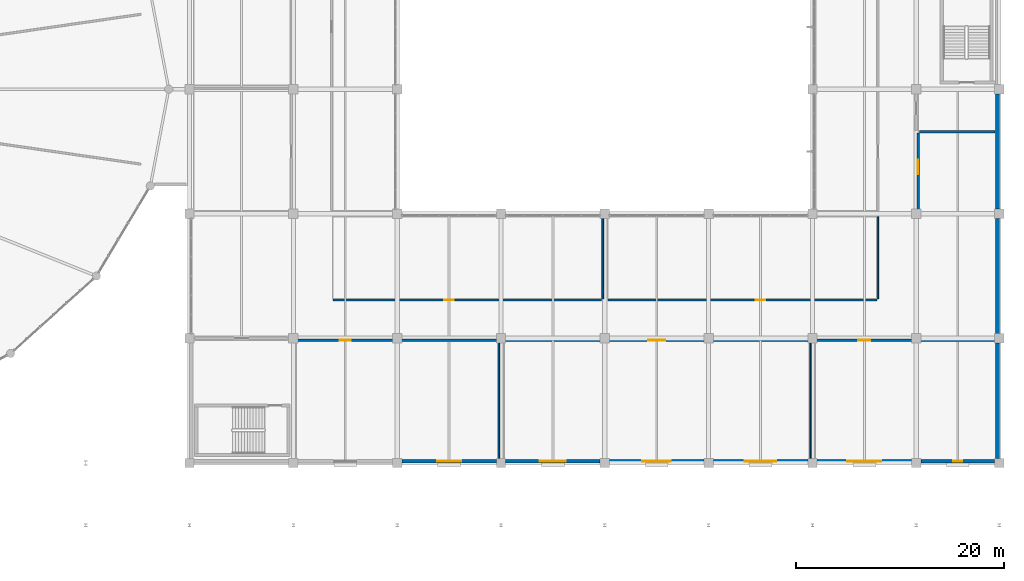
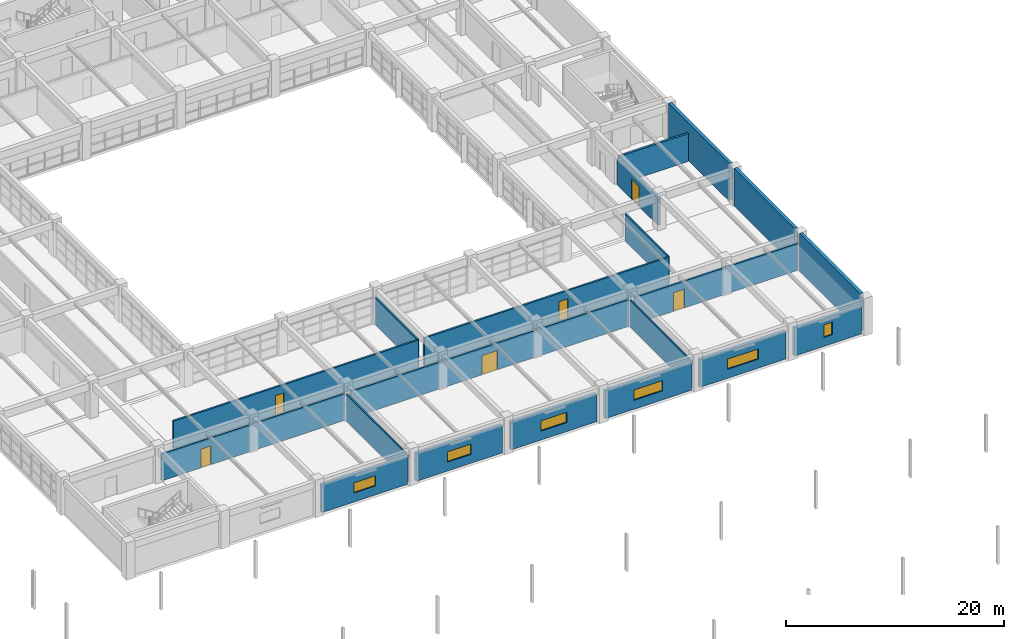
# One storey, part 81 of 100: 20 walls, 6 doors, 6 windows, 12 openings.
"""IFC4 building model written with IfcOpenShell, lengths in metres."""

from ifc_helpers import new_model, si_unit, direction, frame, frame_2d, origin, place, context, subcontext, project, spatial, rectangle, extrude, material, layer, layer_set, type_object, element, fill, save


model = new_model("IFC4")

# Units and contexts
model_context = context("Model", 3, precision=1e-05, world=origin(), true_north=direction((0.0, 1.0)))
body_context = subcontext(model_context, "Body", "Model", "MODEL_VIEW")
ifc_project = project(units=[si_unit("LENGTHUNIT", "METRE"), si_unit("AREAUNIT", "SQUARE_METRE"), si_unit("VOLUMEUNIT", "CUBIC_METRE"), si_unit("PLANEANGLEUNIT", "RADIAN"), si_unit("MASSUNIT", "GRAM", prefix="KILO")], contexts=[model_context])

# Site, building, storey
site_placement = place(None, origin())
site = spatial("IfcSite", under=ifc_project, at=site_placement, CompositionType="ELEMENT")
building_placement = place(site_placement, origin())
building = spatial("IfcBuilding", under=site, at=building_placement, Name="Kivolera Central Railway Station", CompositionType="ELEMENT")
storey_placement = place(building_placement, frame((0.0, 0.0, 5.39990234375)))
storey = spatial("IfcBuildingStorey", under=building, at=storey_placement, Name="L01", CompositionType="ELEMENT", Elevation=5.39990234375)

# Wall, opening, door
ifc_material_1 = material(Name="Concrete C40/50", Category="concrete")
ifc_layer_1 = layer(ifc_material_1, 0.22998046875, Name="Concrete C40/50")
ifc_layer_set_1 = layer_set([ifc_layer_1], Name="Concrete C40/50")
wall_type_1 = type_object("IfcWallType", Name="WL-COMP-230", PredefinedType="PARTITIONING", material=ifc_layer_set_1)
wall_1_placement = place(storey_placement, frame((188.179931640625, 78.300048828125, 0.0), z_axis=(0.0, 0.0, 1.0), x_axis=(0.0, 1.0, 0.0)))
wall_1 = element("IfcWall", 1, at=wall_1_placement, inside=storey, type_object=wall_type_1, Name="L01 Distribution Switchboard Plant Room Corridor Wall", PredefinedType="PARTITIONING", context=body_context, shape_type="SweptSolid", body=[
    extrude(rectangle(XDim=7.5, YDim=0.22998046875, at=frame_2d((3.75, 0.0))), origin(), (0.0, 0.0, 1.0), 3.01806640625),
])
opening_1_placement = place(wall_1_placement, frame((3.5, 0.0, 0.0)))
opening_1 = element("IfcOpeningElement", 2, at=opening_1_placement, cuts=wall_1, Name="Opening D-PLT-1400", PredefinedType="OPENING", context=body_context, shape_type="SweptSolid", body=[
    extrude(rectangle(XDim=1.39990234375, YDim=2.199951171875, at=frame_2d((0.699951171875, 1.10009765625))), frame((0.0, 0.125, 0.0), z_axis=(0.0, -1.0, 0.0), x_axis=(1.0, 0.0, 0.0)), (0.0, 0.0, 1.0), 0.25),
])
ifc_material_2 = material(Name="Anodised aluminium", Category="aluminium")
door_type_1 = type_object("IfcDoorType", Name="DR-D-PLT-1400", OperationType="NOTDEFINED", PredefinedType="DOOR", material=ifc_material_2)
door_1_placement = place(opening_1_placement, origin())
door_1 = element("IfcDoor", 3, at=door_1_placement, inside=storey, type_object=door_type_1, Name="L01 Distribution Switchboard Plant Room Door", OperationType="SINGLE_SWING_LEFT", OverallHeight=2.199951171875, OverallWidth=1.39990234375, PredefinedType="DOOR", context=body_context, shape_type="SweptSolid", body=[
    extrude(rectangle(XDim=1.39990234375, YDim=2.199951171875, at=frame_2d((0.699951171875, 1.10009765625))), frame((0.0, 0.02490234375, 0.0), z_axis=(0.0, -1.0, 0.0), x_axis=(1.0, 0.0, 0.0)), (0.0, 0.0, 1.0), 0.050048828125),
])
fill(opening_1, door_1)

# Wall
wall_2_placement = place(storey_placement, frame((188.300048828125, 85.89990234375, 0.0), z_axis=(0.0, 0.0, 1.0), x_axis=(1.0, 0.0, 0.0)))
element("IfcWall", 4, at=wall_2_placement, inside=storey, type_object=wall_type_1, Name="L01 Distribution Switchboard Plant Room Partition Wall", PredefinedType="PARTITIONING", context=body_context, shape_type="SweptSolid", body=[
    extrude(rectangle(XDim=7.300048828125, YDim=0.22998046875, at=frame_2d((3.64990234375, 0.0))), origin(), (0.0, 0.0, 1.0), 3.1181640625),
])

# Wall, opening, door
ifc_material_3 = material(Name="Swahili coral limestone", Category="masonry")
ifc_layer_2 = layer(ifc_material_3, 0.199951171875, Name="Swahili coral limestone")
ifc_layer_set_2 = layer_set([ifc_layer_2], Name="Swahili coral limestone")
wall_type_2 = type_object("IfcWallType", Name="WL-COR-200", PredefinedType="PARTITIONING", material=ifc_layer_set_2)
wall_3_placement = place(storey_placement, frame((128.300048828125, 65.820068359375, 0.0), z_axis=(0.0, 0.0, 1.0), x_axis=(1.0, 0.0, 0.0)))
wall_3 = element("IfcWall", 5, at=wall_3_placement, inside=storey, type_object=wall_type_2, Name="L01 Passenger Reservations Call Centre Office Corridor Wall", PredefinedType="PARTITIONING", context=body_context, shape_type="SweptSolid", body=[
    extrude(rectangle(XDim=19.39990234375, YDim=0.199951171875, at=frame_2d((9.699951171875, 0.0))), origin(), (0.0, 0.0, 1.0), 3.01806640625),
])
opening_2_placement = place(wall_3_placement, frame((4.175048828125, 0.0, 0.0)))
opening_2 = element("IfcOpeningElement", 6, at=opening_2_placement, cuts=wall_3, Name="Opening D-SG-04", PredefinedType="OPENING", context=body_context, shape_type="SweptSolid", body=[
    extrude(rectangle(XDim=1.050048828125, YDim=2.10009765625, at=frame_2d((0.52490234375, 1.050048828125))), frame((0.0, 0.10986328125, 0.0), z_axis=(0.0, -1.0, 0.0), x_axis=(1.0, 0.0, 0.0)), (0.0, 0.0, 1.0), 0.219970703125),
])
ifc_material_4 = material(Name="Hardwood mvule timber", Category="wood")
door_type_2 = type_object("IfcDoorType", Name="DR-D-SG-04", OperationType="NOTDEFINED", PredefinedType="DOOR", material=ifc_material_4)
door_2_placement = place(opening_2_placement, origin())
door_2 = element("IfcDoor", 7, at=door_2_placement, inside=storey, type_object=door_type_2, Name="L01 Passenger Reservations Call Centre Office Door", OperationType="SINGLE_SWING_RIGHT", OverallHeight=2.10009765625, OverallWidth=1.050048828125, PredefinedType="DOOR", context=body_context, shape_type="SweptSolid", body=[
    extrude(rectangle(XDim=1.050048828125, YDim=2.10009765625, at=frame_2d((0.52490234375, 1.050048828125))), frame((0.0, 0.02490234375, 0.0), z_axis=(0.0, -1.0, 0.0), x_axis=(1.0, 0.0, 0.0)), (0.0, 0.0, 1.0), 0.050048828125),
])
fill(opening_2, door_2)

wall_4_placement = place(storey_placement, frame((148.300048828125, 65.820068359375, 0.0), z_axis=(0.0, 0.0, 1.0), x_axis=(1.0, 0.0, 0.0)))
wall_4 = element("IfcWall", 8, at=wall_4_placement, inside=storey, type_object=wall_type_2, Name="L01 Executive Rail Business Lounge Corridor Wall", PredefinedType="PARTITIONING", context=body_context, shape_type="SweptSolid", body=[
    extrude(rectangle(XDim=29.39990234375, YDim=0.199951171875, at=frame_2d((14.699951171875, 0.0))), origin(), (0.0, 0.0, 1.0), 3.01806640625),
])
opening_3_placement = place(wall_4_placement, frame((13.89990234375, 0.0, 0.0)))
opening_3 = element("IfcOpeningElement", 9, at=opening_3_placement, cuts=wall_4, Name="Opening D-DB-02", PredefinedType="OPENING", context=body_context, shape_type="SweptSolid", body=[
    extrude(rectangle(XDim=1.60009765625, YDim=2.14990234375, at=frame_2d((0.800048828125, 1.074951171875))), frame((0.0, 0.10986328125, 0.0), z_axis=(0.0, -1.0, 0.0), x_axis=(1.0, 0.0, 0.0)), (0.0, 0.0, 1.0), 0.219970703125),
])
door_type_3 = type_object("IfcDoorType", Name="DR-D-DB-02", OperationType="NOTDEFINED", PredefinedType="DOOR", material=ifc_material_2)
door_3_placement = place(opening_3_placement, origin())
door_3 = element("IfcDoor", 10, at=door_3_placement, inside=storey, type_object=door_type_3, Name="L01 Executive Rail Business Lounge Door", OperationType="DOUBLE_DOOR_SINGLE_SWING", OverallHeight=2.14990234375, OverallWidth=1.60009765625, PredefinedType="DOOR", context=body_context, shape_type="SweptSolid", body=[
    extrude(rectangle(XDim=1.60009765625, YDim=2.14990234375, at=frame_2d((0.800048828125, 1.074951171875))), frame((0.0, 0.02490234375, 0.0), z_axis=(0.0, -1.0, 0.0), x_axis=(1.0, 0.0, 0.0)), (0.0, 0.0, 1.0), 0.050048828125),
])
fill(opening_3, door_3)

wall_5_placement = place(storey_placement, frame((178.300048828125, 65.820068359375, 0.0), z_axis=(0.0, 0.0, 1.0), x_axis=(1.0, 0.0, 0.0)))
wall_5 = element("IfcWall", 11, at=wall_5_placement, inside=storey, type_object=wall_type_2, Name="L01 Ticket Accounting Office Corridor Wall", PredefinedType="PARTITIONING", context=body_context, shape_type="SweptSolid", body=[
    extrude(rectangle(XDim=17.300048828125, YDim=0.199951171875, at=frame_2d((8.64990234375, 0.0))), origin(), (0.0, 0.0, 1.0), 3.01806640625),
])
opening_4_placement = place(wall_5_placement, frame((4.125, 0.0, 0.0)))
opening_4 = element("IfcOpeningElement", 12, at=opening_4_placement, cuts=wall_5, Name="Opening D-SG-06", PredefinedType="OPENING", context=body_context, shape_type="SweptSolid", body=[
    extrude(rectangle(XDim=1.14990234375, YDim=2.10009765625, at=frame_2d((0.574951171875, 1.050048828125))), frame((0.0, 0.10986328125, 0.0), z_axis=(0.0, -1.0, 0.0), x_axis=(1.0, 0.0, 0.0)), (0.0, 0.0, 1.0), 0.219970703125),
])
door_type_4 = type_object("IfcDoorType", Name="DR-D-SG-06", OperationType="NOTDEFINED", PredefinedType="DOOR", material=ifc_material_4)
door_4_placement = place(opening_4_placement, origin())
door_4 = element("IfcDoor", 13, at=door_4_placement, inside=storey, type_object=door_type_4, Name="L01 Ticket Accounting Office Door", OperationType="SINGLE_SWING_LEFT", OverallHeight=2.10009765625, OverallWidth=1.14990234375, PredefinedType="DOOR", context=body_context, shape_type="SweptSolid", body=[
    extrude(rectangle(XDim=1.14990234375, YDim=2.10009765625, at=frame_2d((0.574951171875, 1.050048828125))), frame((0.0, 0.02490234375, 0.0), z_axis=(0.0, -1.0, 0.0), x_axis=(1.0, 0.0, 0.0)), (0.0, 0.0, 1.0), 0.050048828125),
])
fill(opening_4, door_4)

wall_6_placement = place(storey_placement, frame((131.800048828125, 69.679931640625, 0.0), z_axis=(0.0, 0.0, 1.0), x_axis=(1.0, 0.0, 0.0)))
wall_6 = element("IfcWall", 14, at=wall_6_placement, inside=storey, type_object=wall_type_2, Name="L01 Stakeholder Consultation Meeting Room Corridor Wall", PredefinedType="PARTITIONING", context=body_context, shape_type="SweptSolid", body=[
    extrude(rectangle(XDim=25.89990234375, YDim=0.199951171875, at=frame_2d((12.949951171875, 0.0))), origin(), (0.0, 0.0, 1.0), 3.1181640625),
])
opening_5_placement = place(wall_6_placement, frame((10.75, 0.0, 0.0)))
opening_5 = element("IfcOpeningElement", 15, at=opening_5_placement, cuts=wall_6, Name="Opening D-SG-07", PredefinedType="OPENING", context=body_context, shape_type="SweptSolid", body=[
    extrude(rectangle(XDim=0.89990234375, YDim=2.199951171875, at=frame_2d((0.449951171875, 1.10009765625))), frame((0.0, 0.10986328125, 0.0), z_axis=(0.0, -1.0, 0.0), x_axis=(1.0, 0.0, 0.0)), (0.0, 0.0, 1.0), 0.219970703125),
])
door_type_5 = type_object("IfcDoorType", Name="DR-D-SG-07", OperationType="NOTDEFINED", PredefinedType="DOOR", material=ifc_material_4)
door_5_placement = place(opening_5_placement, origin())
door_5 = element("IfcDoor", 16, at=door_5_placement, inside=storey, type_object=door_type_5, Name="L01 Stakeholder Consultation Meeting Room Door", OperationType="SINGLE_SWING_RIGHT", OverallHeight=2.199951171875, OverallWidth=0.89990234375, PredefinedType="DOOR", context=body_context, shape_type="SweptSolid", body=[
    extrude(rectangle(XDim=0.89990234375, YDim=2.199951171875, at=frame_2d((0.449951171875, 1.10009765625))), frame((0.0, 0.02490234375, 0.0), z_axis=(0.0, -1.0, 0.0), x_axis=(1.0, 0.0, 0.0)), (0.0, 0.0, 1.0), 0.050048828125),
])
fill(opening_5, door_5)

wall_7_placement = place(storey_placement, frame((158.300048828125, 69.679931640625, 0.0), z_axis=(0.0, 0.0, 1.0), x_axis=(1.0, 0.0, 0.0)))
wall_7 = element("IfcWall", 17, at=wall_7_placement, inside=storey, type_object=wall_type_2, Name="L01 Concessionaire Management Office Corridor Wall", PredefinedType="PARTITIONING", context=body_context, shape_type="SweptSolid", body=[
    extrude(rectangle(XDim=25.89990234375, YDim=0.199951171875, at=frame_2d((12.949951171875, 0.0))), origin(), (0.0, 0.0, 1.0), 3.1181640625),
])
opening_6_placement = place(wall_7_placement, frame((14.22509765625, 0.0, 0.0)))
opening_6 = element("IfcOpeningElement", 18, at=opening_6_placement, cuts=wall_7, Name="Opening D-SG-08", PredefinedType="OPENING", context=body_context, shape_type="SweptSolid", body=[
    extrude(rectangle(XDim=0.949951171875, YDim=2.199951171875, at=frame_2d((0.47509765625, 1.10009765625))), frame((0.0, 0.10986328125, 0.0), z_axis=(0.0, -1.0, 0.0), x_axis=(1.0, 0.0, 0.0)), (0.0, 0.0, 1.0), 0.219970703125),
])
door_type_6 = type_object("IfcDoorType", Name="DR-D-SG-08", OperationType="NOTDEFINED", PredefinedType="DOOR", material=ifc_material_4)
door_6_placement = place(opening_6_placement, origin())
door_6 = element("IfcDoor", 19, at=door_6_placement, inside=storey, type_object=door_type_6, Name="L01 Concessionaire Management Office Door", OperationType="SINGLE_SWING_LEFT", OverallHeight=2.199951171875, OverallWidth=0.949951171875, PredefinedType="DOOR", context=body_context, shape_type="SweptSolid", body=[
    extrude(rectangle(XDim=0.949951171875, YDim=2.199951171875, at=frame_2d((0.47509765625, 1.10009765625))), frame((0.0, 0.02490234375, 0.0), z_axis=(0.0, -1.0, 0.0), x_axis=(1.0, 0.0, 0.0)), (0.0, 0.0, 1.0), 0.050048828125),
])
fill(opening_6, door_6)

# Wall, opening, window
ifc_layer_3 = layer(ifc_material_3, 0.320068359375, Name="Swahili coral limestone")
ifc_layer_set_3 = layer_set([ifc_layer_3], Name="Swahili coral limestone")
wall_type_3 = type_object("IfcWallType", Name="WL-EXT-CORAL-320", PredefinedType="SOLIDWALL", material=ifc_layer_set_3)
wall_8_placement = place(storey_placement, frame((147.554931640625, 54.159912109375, 0.0), z_axis=(0.0, 0.0, 1.0), x_axis=(-1.0, 0.0, 0.0)))
wall_8 = element("IfcWall", 20, at=wall_8_placement, inside=storey, type_object=wall_type_3, Name="L01 South Facade Wall 138-148", PredefinedType="SOLIDWALL", context=body_context, shape_type="SweptSolid", body=[
    extrude(rectangle(XDim=9.10986328125, YDim=0.320068359375, at=frame_2d((4.554931640625, 0.0))), origin(), (0.0, 0.0, 1.0), 3.1181640625),
])
opening_7_placement = place(wall_8_placement, frame((3.405029296875, 0.0, 1.0)))
opening_7 = element("IfcOpeningElement", 21, at=opening_7_placement, cuts=wall_8, Name="Opening WN-08", PredefinedType="OPENING", context=body_context, shape_type="SweptSolid", body=[
    extrude(rectangle(XDim=2.300048828125, YDim=1.14990234375, at=frame_2d((1.14990234375, 0.574951171875))), frame((0.0, 0.169921875, 0.0), z_axis=(0.0, -1.0, 0.0), x_axis=(1.0, 0.0, 0.0)), (0.0, 0.0, 1.0), 0.340087890625),
])
ifc_material_5 = material(Name="Double low-E laminated glass", Category="glass")
window_type_1 = type_object("IfcWindowType", Name="WIN-WN-08", PartitioningType="SINGLE_PANEL", PredefinedType="WINDOW", material=ifc_material_5)
window_1_placement = place(opening_7_placement, origin())
window_1 = element("IfcWindow", 22, at=window_1_placement, inside=storey, type_object=window_type_1, Name="L01 South Facade Window 138", OverallHeight=1.14990234375, OverallWidth=2.300048828125, PartitioningType="SINGLE_PANEL", PredefinedType="WINDOW", context=body_context, shape_type="SweptSolid", body=[
    extrude(rectangle(XDim=2.300048828125, YDim=1.14990234375, at=frame_2d((1.14990234375, 0.574951171875))), frame((0.0, 0.030029296875, 0.0), z_axis=(0.0, -1.0, 0.0), x_axis=(1.0, 0.0, 0.0)), (0.0, 0.0, 1.0), 0.06005859375),
])
fill(opening_7, window_1)

wall_9_placement = place(storey_placement, frame((157.554931640625, 54.159912109375, 0.0), z_axis=(0.0, 0.0, 1.0), x_axis=(-1.0, 0.0, 0.0)))
wall_9 = element("IfcWall", 23, at=wall_9_placement, inside=storey, type_object=wall_type_3, Name="L01 South Facade Wall 148-158", PredefinedType="SOLIDWALL", context=body_context, shape_type="SweptSolid", body=[
    extrude(rectangle(XDim=9.10986328125, YDim=0.320068359375, at=frame_2d((4.554931640625, 0.0))), origin(), (0.0, 0.0, 1.0), 3.1181640625),
])
opening_8_placement = place(wall_9_placement, frame((3.304931640625, 0.0, 1.0)))
opening_8 = element("IfcOpeningElement", 24, at=opening_8_placement, cuts=wall_9, Name="Opening WN-09", PredefinedType="OPENING", context=body_context, shape_type="SweptSolid", body=[
    extrude(rectangle(XDim=2.5, YDim=1.14990234375, at=frame_2d((1.25, 0.574951171875))), frame((0.0, 0.169921875, 0.0), z_axis=(0.0, -1.0, 0.0), x_axis=(1.0, 0.0, 0.0)), (0.0, 0.0, 1.0), 0.340087890625),
])
window_type_2 = type_object("IfcWindowType", Name="WIN-WN-09", PartitioningType="SINGLE_PANEL", PredefinedType="WINDOW", material=ifc_material_5)
window_2_placement = place(opening_8_placement, origin())
window_2 = element("IfcWindow", 25, at=window_2_placement, inside=storey, type_object=window_type_2, Name="L01 South Facade Window 148", OverallHeight=1.14990234375, OverallWidth=2.5, PartitioningType="SINGLE_PANEL", PredefinedType="WINDOW", context=body_context, shape_type="SweptSolid", body=[
    extrude(rectangle(XDim=2.5, YDim=1.14990234375, at=frame_2d((1.25, 0.574951171875))), frame((0.0, 0.030029296875, 0.0), z_axis=(0.0, -1.0, 0.0), x_axis=(1.0, 0.0, 0.0)), (0.0, 0.0, 1.0), 0.06005859375),
])
fill(opening_8, window_2)

wall_10_placement = place(storey_placement, frame((167.554931640625, 54.159912109375, 0.0), z_axis=(0.0, 0.0, 1.0), x_axis=(-1.0, 0.0, 0.0)))
wall_10 = element("IfcWall", 26, at=wall_10_placement, inside=storey, type_object=wall_type_3, Name="L01 South Facade Wall 158-168", PredefinedType="SOLIDWALL", context=body_context, shape_type="SweptSolid", body=[
    extrude(rectangle(XDim=9.10986328125, YDim=0.320068359375, at=frame_2d((4.554931640625, 0.0))), origin(), (0.0, 0.0, 1.0), 3.1181640625),
])
opening_9_placement = place(wall_10_placement, frame((3.179931640625, 0.0, 1.0)))
opening_9 = element("IfcOpeningElement", 27, at=opening_9_placement, cuts=wall_10, Name="Opening WN-10", PredefinedType="OPENING", context=body_context, shape_type="SweptSolid", body=[
    extrude(rectangle(XDim=2.75, YDim=1.14990234375, at=frame_2d((1.375, 0.574951171875))), frame((0.0, 0.169921875, 0.0), z_axis=(0.0, -1.0, 0.0), x_axis=(1.0, 0.0, 0.0)), (0.0, 0.0, 1.0), 0.340087890625),
])
window_type_3 = type_object("IfcWindowType", Name="WIN-WN-10", PartitioningType="SINGLE_PANEL", PredefinedType="WINDOW", material=ifc_material_5)
window_3_placement = place(opening_9_placement, origin())
window_3 = element("IfcWindow", 28, at=window_3_placement, inside=storey, type_object=window_type_3, Name="L01 South Facade Window 158", OverallHeight=1.14990234375, OverallWidth=2.75, PartitioningType="SINGLE_PANEL", PredefinedType="WINDOW", context=body_context, shape_type="SweptSolid", body=[
    extrude(rectangle(XDim=2.75, YDim=1.14990234375, at=frame_2d((1.375, 0.574951171875))), frame((0.0, 0.030029296875, 0.0), z_axis=(0.0, -1.0, 0.0), x_axis=(1.0, 0.0, 0.0)), (0.0, 0.0, 1.0), 0.06005859375),
])
fill(opening_9, window_3)

wall_11_placement = place(storey_placement, frame((177.554931640625, 54.159912109375, 0.0), z_axis=(0.0, 0.0, 1.0), x_axis=(-1.0, 0.0, 0.0)))
wall_11 = element("IfcWall", 29, at=wall_11_placement, inside=storey, type_object=wall_type_3, Name="L01 South Facade Wall 168-178", PredefinedType="SOLIDWALL", context=body_context, shape_type="SweptSolid", body=[
    extrude(rectangle(XDim=9.10986328125, YDim=0.320068359375, at=frame_2d((4.554931640625, 0.0))), origin(), (0.0, 0.0, 1.0), 3.1181640625),
])
opening_10_placement = place(wall_11_placement, frame((3.054931640625, 0.0, 1.0)))
opening_10 = element("IfcOpeningElement", 30, at=opening_10_placement, cuts=wall_11, Name="Opening WN-11", PredefinedType="OPENING", context=body_context, shape_type="SweptSolid", body=[
    extrude(rectangle(XDim=3.0, YDim=1.14990234375, at=frame_2d((1.5, 0.574951171875))), frame((0.0, 0.169921875, 0.0), z_axis=(0.0, -1.0, 0.0), x_axis=(1.0, 0.0, 0.0)), (0.0, 0.0, 1.0), 0.340087890625),
])
window_type_4 = type_object("IfcWindowType", Name="WIN-WN-11", PartitioningType="SINGLE_PANEL", PredefinedType="WINDOW", material=ifc_material_5)
window_4_placement = place(opening_10_placement, origin())
window_4 = element("IfcWindow", 31, at=window_4_placement, inside=storey, type_object=window_type_4, Name="L01 South Facade Window 168", OverallHeight=1.14990234375, OverallWidth=3.0, PartitioningType="SINGLE_PANEL", PredefinedType="WINDOW", context=body_context, shape_type="SweptSolid", body=[
    extrude(rectangle(XDim=3.0, YDim=1.14990234375, at=frame_2d((1.5, 0.574951171875))), frame((0.0, 0.030029296875, 0.0), z_axis=(0.0, -1.0, 0.0), x_axis=(1.0, 0.0, 0.0)), (0.0, 0.0, 1.0), 0.06005859375),
])
fill(opening_10, window_4)

wall_12_placement = place(storey_placement, frame((187.554931640625, 54.159912109375, 0.0), z_axis=(0.0, 0.0, 1.0), x_axis=(-1.0, 0.0, 0.0)))
wall_12 = element("IfcWall", 32, at=wall_12_placement, inside=storey, type_object=wall_type_3, Name="L01 South Facade Wall 178-188", PredefinedType="SOLIDWALL", context=body_context, shape_type="SweptSolid", body=[
    extrude(rectangle(XDim=9.10986328125, YDim=0.320068359375, at=frame_2d((4.554931640625, 0.0))), origin(), (0.0, 0.0, 1.0), 3.1181640625),
])
opening_11_placement = place(wall_12_placement, frame((2.929931640625, 0.0, 1.0)))
opening_11 = element("IfcOpeningElement", 33, at=opening_11_placement, cuts=wall_12, Name="Opening WN-12", PredefinedType="OPENING", context=body_context, shape_type="SweptSolid", body=[
    extrude(rectangle(XDim=3.25, YDim=1.14990234375, at=frame_2d((1.625, 0.574951171875))), frame((0.0, 0.169921875, 0.0), z_axis=(0.0, -1.0, 0.0), x_axis=(1.0, 0.0, 0.0)), (0.0, 0.0, 1.0), 0.340087890625),
])
window_type_5 = type_object("IfcWindowType", Name="WIN-WN-12", PartitioningType="SINGLE_PANEL", PredefinedType="WINDOW", material=ifc_material_5)
window_5_placement = place(opening_11_placement, origin())
window_5 = element("IfcWindow", 34, at=window_5_placement, inside=storey, type_object=window_type_5, Name="L01 South Facade Window 178", OverallHeight=1.14990234375, OverallWidth=3.25, PartitioningType="SINGLE_PANEL", PredefinedType="WINDOW", context=body_context, shape_type="SweptSolid", body=[
    extrude(rectangle(XDim=3.25, YDim=1.14990234375, at=frame_2d((1.625, 0.574951171875))), frame((0.0, 0.030029296875, 0.0), z_axis=(0.0, -1.0, 0.0), x_axis=(1.0, 0.0, 0.0)), (0.0, 0.0, 1.0), 0.06005859375),
])
fill(opening_11, window_5)

wall_13_placement = place(storey_placement, frame((195.554931640625, 54.159912109375, 0.0), z_axis=(0.0, 0.0, 1.0), x_axis=(-1.0, 0.0, 0.0)))
wall_13 = element("IfcWall", 35, at=wall_13_placement, inside=storey, type_object=wall_type_3, Name="L01 South Facade Wall 188-196", PredefinedType="SOLIDWALL", context=body_context, shape_type="SweptSolid", body=[
    extrude(rectangle(XDim=7.10986328125, YDim=0.320068359375, at=frame_2d((3.554931640625, 0.0))), origin(), (0.0, 0.0, 1.0), 3.1181640625),
])
opening_12_placement = place(wall_13_placement, frame((3.10498046875, 0.0, 1.0)))
opening_12 = element("IfcOpeningElement", 36, at=opening_12_placement, cuts=wall_13, Name="Opening WN-13", PredefinedType="OPENING", context=body_context, shape_type="SweptSolid", body=[
    extrude(rectangle(XDim=0.89990234375, YDim=1.39990234375, at=frame_2d((0.449951171875, 0.699951171875))), frame((0.0, 0.169921875, 0.0), z_axis=(0.0, -1.0, 0.0), x_axis=(1.0, 0.0, 0.0)), (0.0, 0.0, 1.0), 0.340087890625),
])
window_type_6 = type_object("IfcWindowType", Name="WIN-WN-13", PartitioningType="SINGLE_PANEL", PredefinedType="WINDOW", material=ifc_material_5)
window_6_placement = place(opening_12_placement, origin())
window_6 = element("IfcWindow", 37, at=window_6_placement, inside=storey, type_object=window_type_6, Name="L01 South Facade Window 188", OverallHeight=1.39990234375, OverallWidth=0.89990234375, PartitioningType="SINGLE_PANEL", PredefinedType="WINDOW", context=body_context, shape_type="SweptSolid", body=[
    extrude(rectangle(XDim=0.89990234375, YDim=1.39990234375, at=frame_2d((0.449951171875, 0.699951171875))), frame((0.0, 0.030029296875, 0.0), z_axis=(0.0, -1.0, 0.0), x_axis=(1.0, 0.0, 0.0)), (0.0, 0.0, 1.0), 0.06005859375),
])
fill(opening_12, window_6)

# Walls
ifc_layer_4 = layer(ifc_material_1, 0.35009765625, Name="Concrete C40/50")
ifc_layer_set_4 = layer_set([ifc_layer_4], Name="Concrete C40/50")
wall_type_4 = type_object("IfcWallType", Name="WL-PARTY-350", PredefinedType="SOLIDWALL", material=ifc_layer_set_4)
for number, where, z_axis, x_axis, name in (
    (38, (195.824951171875, 65.554931640625, 0.0), (0.0, 0.0, 1.0), (0.0, -1.0, 0.0), "L01 East Infill EI 120 Party Wall 54-66"),
    (39, (195.824951171875, 77.554931640625, 0.0), (0.0, 0.0, 1.0), (0.0, -1.0, 0.0), "L01 East Infill EI 120 Party Wall 66-78"),
    (40, (195.824951171875, 89.554931640625, 0.0), (0.0, 0.0, 1.0), (0.0, -1.0, 0.0), "L01 East Infill EI 120 Party Wall 78-90"),
):
    element("IfcWall", number, at=place(storey_placement, frame(where, z_axis=z_axis, x_axis=x_axis)), inside=storey, type_object=wall_type_4, Name=name, PredefinedType="SOLIDWALL", context=body_context, shape_type="SweptSolid", body=[
        extrude(rectangle(XDim=11.10986328125, YDim=0.35009765625, at=frame_2d((5.554931640625, 0.0))), origin(), (0.0, 0.0, 1.0), 4.2001953125),
    ])
ifc_material_6 = material(Name="Gypsum plasterboard steel-stud partition")
ifc_layer_5 = layer(ifc_material_6, 0.1201171875, Name="Gypsum plasterboard steel-stud partition")
ifc_layer_set_5 = layer_set([ifc_layer_5], Name="Gypsum plasterboard steel-stud partition")
wall_type_5 = type_object("IfcWallType", Name="WL-PRT-120", PredefinedType="PARTITIONING", material=ifc_layer_set_5)
wall_14_placement = place(storey_placement, frame((177.800048828125, 54.300048828125, 0.0), z_axis=(0.0, 0.0, 1.0), x_axis=(0.0, 1.0, 0.0)))
element("IfcWall", 41, at=wall_14_placement, inside=storey, type_object=wall_type_5, Name="L01 Executive Rail Business Lounge Partition Wall", PredefinedType="PARTITIONING", context=body_context, shape_type="SweptSolid", body=[
    extrude(rectangle(XDim=11.39990234375, YDim=0.1201171875, at=frame_2d((5.699951171875, 0.0))), origin(), (0.0, 0.0, 1.0), 3.01806640625),
])
ifc_layer_6 = layer(ifc_material_6, 0.135009765625, Name="Gypsum plasterboard steel-stud partition")
ifc_layer_set_6 = layer_set([ifc_layer_6], Name="Gypsum plasterboard steel-stud partition")
wall_type_6 = type_object("IfcWallType", Name="WL-PRT-135", PredefinedType="PARTITIONING", material=ifc_layer_set_6)
wall_15_placement = place(storey_placement, frame((147.800048828125, 54.300048828125, 0.0), z_axis=(0.0, 0.0, 1.0), x_axis=(0.0, 1.0, 0.0)))
element("IfcWall", 42, at=wall_15_placement, inside=storey, type_object=wall_type_6, Name="L01 Passenger Reservations Call Centre Office Partition Wall", PredefinedType="PARTITIONING", context=body_context, shape_type="SweptSolid", body=[
    extrude(rectangle(XDim=11.39990234375, YDim=0.135009765625, at=frame_2d((5.699951171875, 0.0))), origin(), (0.0, 0.0, 1.0), 3.01806640625),
])
ifc_layer_7 = layer(ifc_material_6, 0.14990234375, Name="Gypsum plasterboard steel-stud partition")
ifc_layer_set_7 = layer_set([ifc_layer_7], Name="Gypsum plasterboard steel-stud partition")
wall_type_7 = type_object("IfcWallType", Name="WL-PRT-150", PredefinedType="PARTITIONING", material=ifc_layer_set_7)
wall_16_placement = place(storey_placement, frame((184.300048828125, 69.800048828125, 0.0), z_axis=(0.0, 0.0, 1.0), x_axis=(0.0, 1.0, 0.0)))
element("IfcWall", 43, at=wall_16_placement, inside=storey, type_object=wall_type_7, Name="L01 Concessionaire Management Office Partition Wall", PredefinedType="PARTITIONING", context=body_context, shape_type="SweptSolid", body=[
    extrude(rectangle(XDim=7.89990234375, YDim=0.14990234375, at=frame_2d((3.949951171875, 0.0))), origin(), (0.0, 0.0, 1.0), 3.01806640625),
])
ifc_layer_8 = layer(ifc_material_6, 0.1650390625, Name="Gypsum plasterboard steel-stud partition")
ifc_layer_set_8 = layer_set([ifc_layer_8], Name="Gypsum plasterboard steel-stud partition")
wall_type_8 = type_object("IfcWallType", Name="WL-PRT-165", PredefinedType="PARTITIONING", material=ifc_layer_set_8)
wall_17_placement = place(storey_placement, frame((157.800048828125, 69.800048828125, 0.0), z_axis=(0.0, 0.0, 1.0), x_axis=(0.0, 1.0, 0.0)))
element("IfcWall", 44, at=wall_17_placement, inside=storey, type_object=wall_type_8, Name="L01 Stakeholder Consultation Meeting Room Partition Wall", PredefinedType="PARTITIONING", context=body_context, shape_type="SweptSolid", body=[
    extrude(rectangle(XDim=7.89990234375, YDim=0.1650390625, at=frame_2d((3.949951171875, 0.0))), origin(), (0.0, 0.0, 1.0), 3.01806640625),
])

save(model, "model.ifc")
